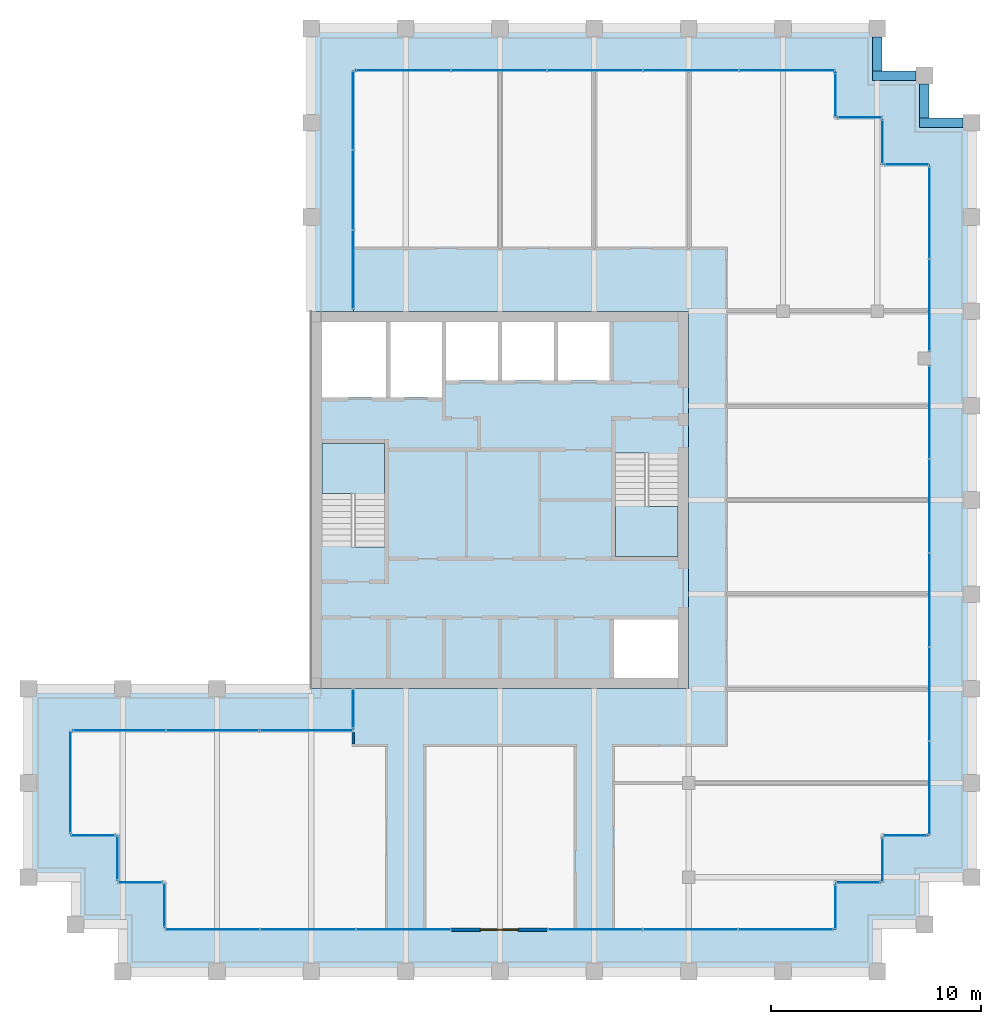
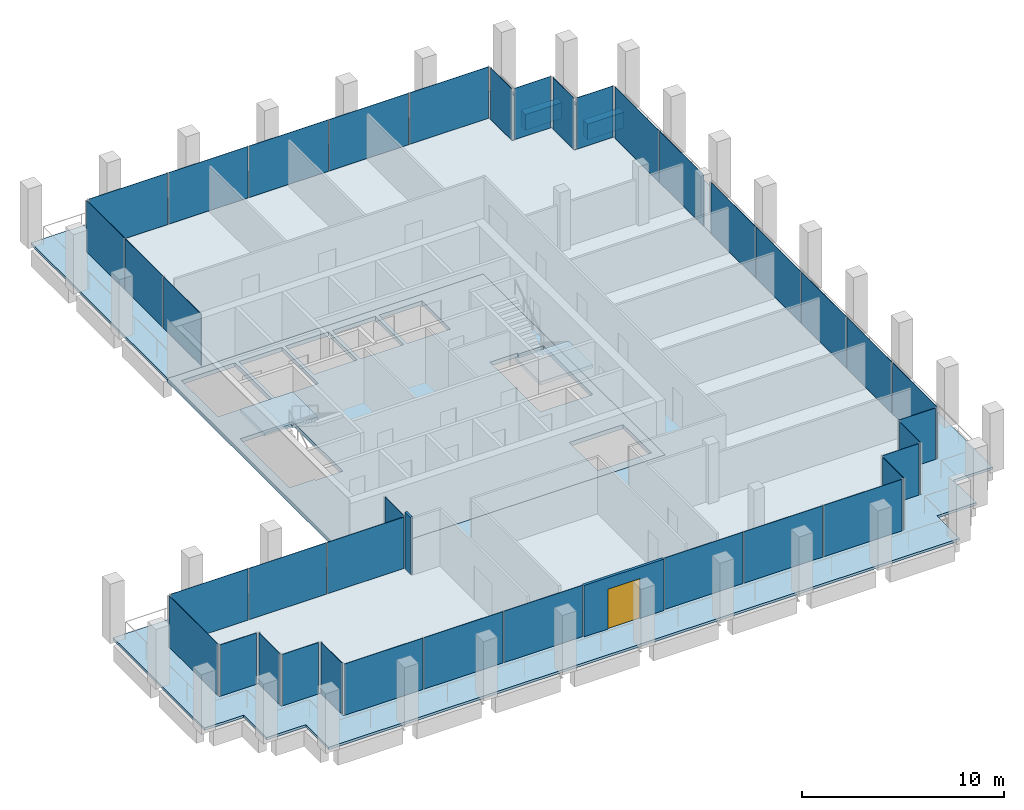
# One storey, part 27 of 30: 38 plates, 5 slabs, 4 beams, 2 walls, 1 door, 1 opening, 23 elements without a shape of their own.
"""IFC4 building model written with IfcOpenShell, lengths in metres."""

from ifc_helpers import new_model, si_unit, direction, frame, frame_2d, origin, origin_2d, place, context, subcontext, project, spatial, polyline, rectangle, outline, extrude, material, layer, layer_set, material_profile, profile_set, type_object, element, fill, aggregate, save


model = new_model("IFC4")

# Units and contexts
model_context = context("Model", 3, precision=1e-05, world=origin(), true_north=direction((0.0, 1.0)))
body_context = subcontext(model_context, "Body", "Model", "MODEL_VIEW")
ifc_project = project(units=[si_unit("LENGTHUNIT", "METRE"), si_unit("AREAUNIT", "SQUARE_METRE"), si_unit("VOLUMEUNIT", "CUBIC_METRE"), si_unit("PLANEANGLEUNIT", "RADIAN"), si_unit("MASSUNIT", "GRAM", prefix="KILO")], contexts=[model_context])

# Site, building, storey
site_placement = place(None, origin())
site = spatial("IfcSite", under=ifc_project, at=site_placement, CompositionType="ELEMENT")
building_placement = place(site_placement, origin())
building = spatial("IfcBuilding", under=site, at=building_placement, Name="Altepetl Exchange Towers", CompositionType="ELEMENT")
storey_placement = place(building_placement, frame((0.0, 0.0, 213.60009765625)))
storey = spatial("IfcBuildingStorey", under=building, at=storey_placement, Name="L54", CompositionType="ELEMENT", Elevation=213.60009765625)

# Beams
ifc_material_1 = material(Name="Concrete C50/60 precast with cantera rosa facing", Category="concrete")
ifc_material_profile = material_profile(ifc_material_1, rectangle(XDim=0.449951171875, YDim=0.949951171875, at=origin_2d()), Name="450 x 950")
ifc_profile_set = profile_set([ifc_material_profile], Name="Concrete C50/60 precast with cantera rosa facing")
beam_type = type_object("IfcBeamType", Name="Spandrel beam 450x950 cantera rosa", PredefinedType="SPANDREL", material=ifc_profile_set)
beam_1_placement = place(storey_placement, frame((71.60009765625, 67.5, -0.625), z_axis=(-1.0, 0.0, 0.0), x_axis=(0.0, -1.0, 0.0)))
element("IfcBeam", 1, at=beam_1_placement, inside=storey, type_object=beam_type, Name="sp:A:L54:020", PredefinedType="SPANDREL", context=body_context, shape_type="SweptSolid", body=[
    extrude(rectangle(XDim=0.449951171875, YDim=0.949951171875, at=origin_2d()), origin(), (0.0, 0.0, 1.0), 2.0751953125),
])
beam_2_placement = place(storey_placement, frame((69.75, 67.72509765625, -0.625), z_axis=(0.0, 1.0, 0.0), x_axis=(-1.0, 0.0, 0.0)))
element("IfcBeam", 2, at=beam_2_placement, inside=storey, type_object=beam_type, Name="sp:A:L54:021", PredefinedType="SPANDREL", context=body_context, shape_type="SweptSolid", body=[
    extrude(rectangle(XDim=0.449951171875, YDim=0.949951171875, at=origin_2d()), origin(), (0.0, 0.0, 1.0), 1.625),
])
beam_3_placement = place(storey_placement, frame((69.35009765625, 69.75, -0.625), z_axis=(-1.0, 0.0, 0.0), x_axis=(0.0, -1.0, 0.0)))
element("IfcBeam", 3, at=beam_3_placement, inside=storey, type_object=beam_type, Name="sp:A:L54:022", PredefinedType="SPANDREL", context=body_context, shape_type="SweptSolid", body=[
    extrude(rectangle(XDim=0.449951171875, YDim=0.949951171875, at=origin_2d()), origin(), (0.0, 0.0, 1.0), 2.0751953125),
])
beam_4_placement = place(storey_placement, frame((67.5, 69.97509765625, -0.625), z_axis=(0.0, 1.0, 0.0), x_axis=(-1.0, 0.0, 0.0)))
element("IfcBeam", 4, at=beam_4_placement, inside=storey, type_object=beam_type, Name="sp:A:L54:023", PredefinedType="SPANDREL", context=body_context, shape_type="SweptSolid", body=[
    extrude(rectangle(XDim=0.449951171875, YDim=0.949951171875, at=origin_2d()), origin(), (0.0, 0.0, 1.0), 1.625),
])

# Slabs
ifc_material_2 = material(Name="Concrete C40/50", Category="concrete")
ifc_layer_1 = layer(ifc_material_2, 0.14990234375)
ifc_layer_set_1 = layer_set([ifc_layer_1], Name="Concrete C40/50")
slab_type_1 = type_object("IfcSlabType", Name="Composite floor slab 150", PredefinedType="FLOOR", material=ifc_layer_set_1)
slab_1_placement = place(storey_placement, frame((0.0, 0.0, -0.150146484375)))
element("IfcSlab", 5, at=slab_1_placement, inside=storey, type_object=slab_type_1, Name="slab:A:L54:strip0", PredefinedType="FLOOR", context=body_context, shape_type="SweptSolid", body=[
    extrude(outline(polyline([(42.5, 70.0), (42.5, 58.5), (58.5, 58.5), (58.5, 40.5), (42.5, 40.5), (42.5, 38.5), (29.0, 38.5), (29.0, 33.5), (31.25, 33.5), (31.25, 31.25), (33.5, 31.25), (33.5, 29.0), (65.5, 29.0), (65.5, 31.25), (67.75, 31.25), (67.75, 33.5), (70.0, 33.5), (70.0, 65.5), (67.75, 65.5), (67.75, 67.75), (65.5, 67.75), (65.5, 70.0), (42.5, 70.0)])), origin(), (0.0, 0.0, 1.0), 0.150146484375),
])
ifc_layer_2 = layer(ifc_material_2, 0.25)
ifc_layer_set_2 = layer_set([ifc_layer_2], Name="Concrete C40/50")
slab_type_2 = type_object("IfcSlabType", Name="Core floor slab 250", PredefinedType="FLOOR", material=ifc_layer_set_2)
slab_2_placement = place(storey_placement, frame((0.0, 0.0, -0.25)))
element("IfcSlab", 6, at=slab_2_placement, inside=storey, type_object=slab_type_2, Name="slab:A:L54:core0", PredefinedType="FLOOR", context=body_context, shape_type="SweptSolid", body=[
    extrude(outline(polyline([(40.5, 40.5), (58.5, 40.5), (58.5, 58.5), (40.5, 58.5), (40.5, 40.5)]), holes=[polyline([(54.93310546875, 43.800048828125), (58.0, 43.800048828125), (58.0, 41.0), (54.93310546875, 41.0), (54.93310546875, 43.800048828125)]), polyline([(55.0, 51.7490234375), (56.550048828125, 51.7490234375), (56.550048828125, 51.64990234375), (58.0, 51.64990234375), (58.0, 46.800048828125), (55.0, 46.800048828125), (55.0, 51.7490234375)]), polyline([(44.0, 47.2509765625), (42.449951171875, 47.2509765625), (42.449951171875, 47.35009765625), (41.0, 47.35009765625), (41.0, 52.199951171875), (44.0, 52.199951171875), (44.0, 47.2509765625)]), polyline([(41.0, 58.0), (44.06689453125, 58.0), (44.06689453125, 54.39990234375), (41.0, 54.39990234375), (41.0, 58.0)]), polyline([(44.26708984375, 58.0), (46.73291015625, 58.0), (46.73291015625, 54.39990234375), (44.26708984375, 54.39990234375), (44.26708984375, 58.0)]), polyline([(46.93310546875, 58.0), (49.39990234375, 58.0), (49.39990234375, 55.199951171875), (46.93310546875, 55.199951171875), (46.93310546875, 58.0)]), polyline([(49.60009765625, 58.0), (52.06689453125, 58.0), (52.06689453125, 55.199951171875), (49.60009765625, 55.199951171875), (49.60009765625, 58.0)]), polyline([(52.26708984375, 58.0), (54.73291015625, 58.0), (54.73291015625, 55.199951171875), (52.26708984375, 55.199951171875), (52.26708984375, 58.0)])]), origin(), (0.0, 0.0, 1.0), 0.25),
])

# Curtain wall, plate
ifc_material_3 = material(Name="Aluminium 6063-T6 glazing", Category="aluminium")
curtain_wall_type = type_object("IfcCurtainWallType", Name="Loggia glazing system", PredefinedType="NOTDEFINED", material=ifc_material_3)
curtain_wall_1_placement = place(storey_placement, origin())
curtain_wall_1 = element("IfcCurtainWall", 7, at=curtain_wall_1_placement, inside=storey, type_object=curtain_wall_type, Name="CW1 run", PredefinedType="NOTDEFINED")
ifc_material_4 = material(Name="Glass 6-16-6 low emissivity", Category="glass")
ifc_layer_3 = layer(ifc_material_4, 0.028076171875)
ifc_layer_set_3 = layer_set([ifc_layer_3], Name="Glass 6-16-6 low emissivity")
plate_type = type_object("IfcPlateType", Name="Glass panel 28 double glazed", PredefinedType="CURTAIN_PANEL", material=ifc_layer_set_3)
plate_1_placement = place(storey_placement, frame((42.5, 39.53759765625, -0.000244140625), z_axis=(0.0, 0.0, 1.0), x_axis=(0.0, -1.0, 0.0)))
plate_1 = element("IfcPlate", 8, at=plate_1_placement, type_object=plate_type, Name="GP1 panel", PredefinedType="CURTAIN_PANEL", context=body_context, shape_type="SweptSolid", body=[
    extrude(rectangle(XDim=1.804931640625, YDim=0.028076171875, at=origin_2d()), origin(), (0.0, 0.0, 1.0), 3.10009765625),
])
aggregate(curtain_wall_1, [plate_1])

# Curtain wall, plates
curtain_wall_2_placement = place(storey_placement, origin())
curtain_wall_2 = element("IfcCurtainWall", 9, at=curtain_wall_2_placement, inside=storey, type_object=curtain_wall_type, Name="CW1 run", PredefinedType="NOTDEFINED")
plate_2_placement = place(storey_placement, frame((40.24755859375, 38.5, -0.000244140625), z_axis=(0.0, 0.0, 1.0), x_axis=(-1.0, 0.0, 0.0)))
plate_2 = element("IfcPlate", 10, at=plate_2_placement, type_object=plate_type, Name="GP1 panel", PredefinedType="CURTAIN_PANEL", context=body_context, shape_type="SweptSolid", body=[
    extrude(rectangle(XDim=4.385009765625, YDim=0.028076171875, at=origin_2d()), origin(), (0.0, 0.0, 1.0), 3.10009765625),
])
plate_3_placement = place(storey_placement, frame((35.78759765625, 38.5, -0.000244140625), z_axis=(0.0, 0.0, 1.0), x_axis=(-1.0, 0.0, 0.0)))
plate_3 = element("IfcPlate", 11, at=plate_3_placement, type_object=plate_type, Name="GP1 panel", PredefinedType="CURTAIN_PANEL", context=body_context, shape_type="SweptSolid", body=[
    extrude(rectangle(XDim=4.4150390625, YDim=0.028076171875, at=origin_2d()), origin(), (0.0, 0.0, 1.0), 3.10009765625),
])
plate_4_placement = place(storey_placement, frame((31.327392578125, 38.5, -0.000244140625), z_axis=(0.0, 0.0, 1.0), x_axis=(-1.0, 0.0, 0.0)))
plate_4 = element("IfcPlate", 12, at=plate_4_placement, type_object=plate_type, Name="GP1 panel", PredefinedType="CURTAIN_PANEL", context=body_context, shape_type="SweptSolid", body=[
    extrude(rectangle(XDim=4.385009765625, YDim=0.028076171875, at=origin_2d()), origin(), (0.0, 0.0, 1.0), 3.10009765625),
])
aggregate(curtain_wall_2, [plate_2, plate_3, plate_4])

# Curtain wall, plate
curtain_wall_3_placement = place(storey_placement, origin())
curtain_wall_3 = element("IfcCurtainWall", 13, at=curtain_wall_3_placement, inside=storey, type_object=curtain_wall_type, Name="CW1 run", PredefinedType="NOTDEFINED")
plate_5_placement = place(storey_placement, frame((29.0, 36.03759765625, -0.000244140625), z_axis=(0.0, 0.0, 1.0), x_axis=(0.0, -1.0, 0.0)))
plate_5 = element("IfcPlate", 14, at=plate_5_placement, type_object=plate_type, Name="GP1 panel", PredefinedType="CURTAIN_PANEL", context=body_context, shape_type="SweptSolid", body=[
    extrude(rectangle(XDim=4.804931640625, YDim=0.028076171875, at=origin_2d()), origin(), (0.0, 0.0, 1.0), 3.10009765625),
])
aggregate(curtain_wall_3, [plate_5])

curtain_wall_4_placement = place(storey_placement, origin())
curtain_wall_4 = element("IfcCurtainWall", 15, at=curtain_wall_4_placement, inside=storey, type_object=curtain_wall_type, Name="CW1 run", PredefinedType="NOTDEFINED")
plate_6_placement = place(storey_placement, frame((30.08740234375, 33.5, -0.000244140625)))
plate_6 = element("IfcPlate", 16, at=plate_6_placement, type_object=plate_type, Name="GP1 panel", PredefinedType="CURTAIN_PANEL", context=body_context, shape_type="SweptSolid", body=[
    extrude(rectangle(XDim=2.054931640625, YDim=0.028076171875, at=origin_2d()), origin(), (0.0, 0.0, 1.0), 3.10009765625),
])
aggregate(curtain_wall_4, [plate_6])

curtain_wall_5_placement = place(storey_placement, origin())
curtain_wall_5 = element("IfcCurtainWall", 17, at=curtain_wall_5_placement, inside=storey, type_object=curtain_wall_type, Name="CW1 run", PredefinedType="NOTDEFINED")
plate_7_placement = place(storey_placement, frame((31.25, 32.41259765625, -0.000244140625), z_axis=(0.0, 0.0, 1.0), x_axis=(0.0, -1.0, 0.0)))
plate_7 = element("IfcPlate", 18, at=plate_7_placement, type_object=plate_type, Name="GP1 panel", PredefinedType="CURTAIN_PANEL", context=body_context, shape_type="SweptSolid", body=[
    extrude(rectangle(XDim=2.054931640625, YDim=0.028076171875, at=origin_2d()), origin(), (0.0, 0.0, 1.0), 3.10009765625),
])
aggregate(curtain_wall_5, [plate_7])

curtain_wall_6_placement = place(storey_placement, origin())
curtain_wall_6 = element("IfcCurtainWall", 19, at=curtain_wall_6_placement, inside=storey, type_object=curtain_wall_type, Name="CW1 run", PredefinedType="NOTDEFINED")
plate_8_placement = place(storey_placement, frame((32.33740234375, 31.25, -0.000244140625)))
plate_8 = element("IfcPlate", 20, at=plate_8_placement, type_object=plate_type, Name="GP1 panel", PredefinedType="CURTAIN_PANEL", context=body_context, shape_type="SweptSolid", body=[
    extrude(rectangle(XDim=2.054931640625, YDim=0.028076171875, at=origin_2d()), origin(), (0.0, 0.0, 1.0), 3.10009765625),
])
aggregate(curtain_wall_6, [plate_8])

curtain_wall_7_placement = place(storey_placement, origin())
curtain_wall_7 = element("IfcCurtainWall", 21, at=curtain_wall_7_placement, inside=storey, type_object=curtain_wall_type, Name="CW1 run", PredefinedType="NOTDEFINED")
plate_9_placement = place(storey_placement, frame((33.5, 30.16259765625, -0.000244140625), z_axis=(0.0, 0.0, 1.0), x_axis=(0.0, -1.0, 0.0)))
plate_9 = element("IfcPlate", 22, at=plate_9_placement, type_object=plate_type, Name="GP1 panel", PredefinedType="CURTAIN_PANEL", context=body_context, shape_type="SweptSolid", body=[
    extrude(rectangle(XDim=2.054931640625, YDim=0.028076171875, at=origin_2d()), origin(), (0.0, 0.0, 1.0), 3.10009765625),
])
aggregate(curtain_wall_7, [plate_9])

# Curtain wall, plates
curtain_wall_8_placement = place(storey_placement, origin())
curtain_wall_8 = element("IfcCurtainWall", 23, at=curtain_wall_8_placement, inside=storey, type_object=curtain_wall_type, Name="CW1 run", PredefinedType="NOTDEFINED")
plate_10_placement = place(storey_placement, frame((35.79541015625, 29.0, -0.000244140625)))
plate_10 = element("IfcPlate", 24, at=plate_10_placement, type_object=plate_type, Name="GP1 panel", PredefinedType="CURTAIN_PANEL", context=body_context, shape_type="SweptSolid", body=[
    extrude(rectangle(XDim=4.470703125, YDim=0.028076171875, at=origin_2d()), origin(), (0.0, 0.0, 1.0), 3.10009765625),
])
plate_11_placement = place(storey_placement, frame((40.341064453125, 29.0, -0.000244140625)))
plate_11 = element("IfcPlate", 25, at=plate_11_placement, type_object=plate_type, Name="GP1 panel", PredefinedType="CURTAIN_PANEL", context=body_context, shape_type="SweptSolid", body=[
    extrude(rectangle(XDim=4.500732421875, YDim=0.028076171875, at=origin_2d()), origin(), (0.0, 0.0, 1.0), 3.10009765625),
])
plate_12_placement = place(storey_placement, frame((44.88671875, 29.0, -0.000244140625)))
plate_12 = element("IfcPlate", 26, at=plate_12_placement, type_object=plate_type, Name="GP1 panel", PredefinedType="CURTAIN_PANEL", context=body_context, shape_type="SweptSolid", body=[
    extrude(rectangle(XDim=4.470703125, YDim=0.028076171875, at=origin_2d()), origin(), (0.0, 0.0, 1.0), 3.10009765625),
])
aggregate(curtain_wall_8, [plate_10, plate_11, plate_12])

curtain_wall_9_placement = place(storey_placement, origin())
curtain_wall_9 = element("IfcCurtainWall", 27, at=curtain_wall_9_placement, inside=storey, type_object=curtain_wall_type, Name="CW1 run", PredefinedType="NOTDEFINED")
plate_13_placement = place(storey_placement, frame((54.038330078125, 29.0, -0.000244140625)))
plate_13 = element("IfcPlate", 28, at=plate_13_placement, type_object=plate_type, Name="GP1 panel", PredefinedType="CURTAIN_PANEL", context=body_context, shape_type="SweptSolid", body=[
    extrude(rectangle(XDim=4.470703125, YDim=0.028076171875, at=origin_2d()), origin(), (0.0, 0.0, 1.0), 3.10009765625),
])
plate_14_placement = place(storey_placement, frame((58.583984375, 29.0, -0.000244140625)))
plate_14 = element("IfcPlate", 29, at=plate_14_placement, type_object=plate_type, Name="GP1 panel", PredefinedType="CURTAIN_PANEL", context=body_context, shape_type="SweptSolid", body=[
    extrude(rectangle(XDim=4.500732421875, YDim=0.028076171875, at=origin_2d()), origin(), (0.0, 0.0, 1.0), 3.10009765625),
])
plate_15_placement = place(storey_placement, frame((63.129638671875, 29.0, -0.000244140625)))
plate_15 = element("IfcPlate", 30, at=plate_15_placement, type_object=plate_type, Name="GP1 panel", PredefinedType="CURTAIN_PANEL", context=body_context, shape_type="SweptSolid", body=[
    extrude(rectangle(XDim=4.470703125, YDim=0.028076171875, at=origin_2d()), origin(), (0.0, 0.0, 1.0), 3.10009765625),
])
aggregate(curtain_wall_9, [plate_13, plate_14, plate_15])

# Curtain wall, plate
curtain_wall_10_placement = place(storey_placement, origin())
curtain_wall_10 = element("IfcCurtainWall", 31, at=curtain_wall_10_placement, inside=storey, type_object=curtain_wall_type, Name="CW1 run", PredefinedType="NOTDEFINED")
plate_16_placement = place(storey_placement, frame((65.5, 30.08740234375, -0.000244140625), z_axis=(0.0, 0.0, 1.0), x_axis=(0.0, 1.0, 0.0)))
plate_16 = element("IfcPlate", 32, at=plate_16_placement, type_object=plate_type, Name="GP1 panel", PredefinedType="CURTAIN_PANEL", context=body_context, shape_type="SweptSolid", body=[
    extrude(rectangle(XDim=2.054931640625, YDim=0.028076171875, at=origin_2d()), origin(), (0.0, 0.0, 1.0), 3.10009765625),
])
aggregate(curtain_wall_10, [plate_16])

curtain_wall_11_placement = place(storey_placement, origin())
curtain_wall_11 = element("IfcCurtainWall", 33, at=curtain_wall_11_placement, inside=storey, type_object=curtain_wall_type, Name="CW1 run", PredefinedType="NOTDEFINED")
plate_17_placement = place(storey_placement, frame((66.58740234375, 31.25, -0.000244140625)))
plate_17 = element("IfcPlate", 34, at=plate_17_placement, type_object=plate_type, Name="GP1 panel", PredefinedType="CURTAIN_PANEL", context=body_context, shape_type="SweptSolid", body=[
    extrude(rectangle(XDim=2.054931640625, YDim=0.028076171875, at=origin_2d()), origin(), (0.0, 0.0, 1.0), 3.10009765625),
])
aggregate(curtain_wall_11, [plate_17])

curtain_wall_12_placement = place(storey_placement, origin())
curtain_wall_12 = element("IfcCurtainWall", 35, at=curtain_wall_12_placement, inside=storey, type_object=curtain_wall_type, Name="CW1 run", PredefinedType="NOTDEFINED")
plate_18_placement = place(storey_placement, frame((67.75, 32.33740234375, -0.000244140625), z_axis=(0.0, 0.0, 1.0), x_axis=(0.0, 1.0, 0.0)))
plate_18 = element("IfcPlate", 36, at=plate_18_placement, type_object=plate_type, Name="GP1 panel", PredefinedType="CURTAIN_PANEL", context=body_context, shape_type="SweptSolid", body=[
    extrude(rectangle(XDim=2.054931640625, YDim=0.028076171875, at=origin_2d()), origin(), (0.0, 0.0, 1.0), 3.10009765625),
])
aggregate(curtain_wall_12, [plate_18])

curtain_wall_13_placement = place(storey_placement, origin())
curtain_wall_13 = element("IfcCurtainWall", 37, at=curtain_wall_13_placement, inside=storey, type_object=curtain_wall_type, Name="CW1 run", PredefinedType="NOTDEFINED")
plate_19_placement = place(storey_placement, frame((68.83740234375, 33.5, -0.000244140625)))
plate_19 = element("IfcPlate", 38, at=plate_19_placement, type_object=plate_type, Name="GP1 panel", PredefinedType="CURTAIN_PANEL", context=body_context, shape_type="SweptSolid", body=[
    extrude(rectangle(XDim=2.054931640625, YDim=0.028076171875, at=origin_2d()), origin(), (0.0, 0.0, 1.0), 3.10009765625),
])
aggregate(curtain_wall_13, [plate_19])

# Curtain wall, plates
curtain_wall_14_placement = place(storey_placement, origin())
curtain_wall_14 = element("IfcCurtainWall", 39, at=curtain_wall_14_placement, inside=storey, type_object=curtain_wall_type, Name="CW1 run", PredefinedType="NOTDEFINED")
plate_20_placement = place(storey_placement, frame((70.0, 35.758056640625, -0.000244140625), z_axis=(0.0, 0.0, 1.0), x_axis=(0.0, 1.0, 0.0)))
plate_20 = element("IfcPlate", 40, at=plate_20_placement, type_object=plate_type, Name="GP1 panel", PredefinedType="CURTAIN_PANEL", context=body_context, shape_type="SweptSolid", body=[
    extrude(rectangle(XDim=4.39599609375, YDim=0.028076171875, at=origin_2d()), origin(), (0.0, 0.0, 1.0), 3.10009765625),
])
plate_21_placement = place(storey_placement, frame((70.0, 40.22900390625, -0.000244140625), z_axis=(0.0, 0.0, 1.0), x_axis=(0.0, 1.0, 0.0)))
plate_21 = element("IfcPlate", 41, at=plate_21_placement, type_object=plate_type, Name="GP1 panel", PredefinedType="CURTAIN_PANEL", context=body_context, shape_type="SweptSolid", body=[
    extrude(rectangle(XDim=4.426025390625, YDim=0.028076171875, at=origin_2d()), origin(), (0.0, 0.0, 1.0), 3.10009765625),
])
plate_22_placement = place(storey_placement, frame((70.0, 44.715087890625, -0.000244140625), z_axis=(0.0, 0.0, 1.0), x_axis=(0.0, 1.0, 0.0)))
plate_22 = element("IfcPlate", 42, at=plate_22_placement, type_object=plate_type, Name="GP1 panel", PredefinedType="CURTAIN_PANEL", context=body_context, shape_type="SweptSolid", body=[
    extrude(rectangle(XDim=4.426025390625, YDim=0.028076171875, at=origin_2d()), origin(), (0.0, 0.0, 1.0), 3.10009765625),
])
plate_23_placement = place(storey_placement, frame((70.0, 49.200927734375, -0.000244140625), z_axis=(0.0, 0.0, 1.0), x_axis=(0.0, 1.0, 0.0)))
plate_23 = element("IfcPlate", 43, at=plate_23_placement, type_object=plate_type, Name="GP1 panel", PredefinedType="CURTAIN_PANEL", context=body_context, shape_type="SweptSolid", body=[
    extrude(rectangle(XDim=4.426025390625, YDim=0.028076171875, at=origin_2d()), origin(), (0.0, 0.0, 1.0), 3.10009765625),
])
plate_24_placement = place(storey_placement, frame((70.0, 53.672119140625, -0.000244140625), z_axis=(0.0, 0.0, 1.0), x_axis=(0.0, 1.0, 0.0)))
plate_24 = element("IfcPlate", 44, at=plate_24_placement, type_object=plate_type, Name="GP1 panel", PredefinedType="CURTAIN_PANEL", context=body_context, shape_type="SweptSolid", body=[
    extrude(rectangle(XDim=4.39599609375, YDim=0.028076171875, at=origin_2d()), origin(), (0.0, 0.0, 1.0), 3.10009765625),
])
aggregate(curtain_wall_14, [plate_20, plate_21, plate_22, plate_23, plate_24])

curtain_wall_15_placement = place(storey_placement, origin())
curtain_wall_15 = element("IfcCurtainWall", 45, at=curtain_wall_15_placement, inside=storey, type_object=curtain_wall_type, Name="CW1 run", PredefinedType="NOTDEFINED")
plate_25_placement = place(storey_placement, frame((70.0, 58.798828125, -0.000244140625), z_axis=(0.0, 0.0, 1.0), x_axis=(0.0, 1.0, 0.0)))
plate_25 = element("IfcPlate", 46, at=plate_25_placement, type_object=plate_type, Name="GP1 panel", PredefinedType="CURTAIN_PANEL", context=body_context, shape_type="SweptSolid", body=[
    extrude(rectangle(XDim=4.33740234375, YDim=0.028076171875, at=origin_2d()), origin(), (0.0, 0.0, 1.0), 3.10009765625),
])
plate_26_placement = place(storey_placement, frame((70.0, 63.1962890625, -0.000244140625), z_axis=(0.0, 0.0, 1.0), x_axis=(0.0, 1.0, 0.0)))
plate_26 = element("IfcPlate", 47, at=plate_26_placement, type_object=plate_type, Name="GP1 panel", PredefinedType="CURTAIN_PANEL", context=body_context, shape_type="SweptSolid", body=[
    extrude(rectangle(XDim=4.33740234375, YDim=0.028076171875, at=origin_2d()), origin(), (0.0, 0.0, 1.0), 3.10009765625),
])
aggregate(curtain_wall_15, [plate_25, plate_26])

# Curtain wall, plate
curtain_wall_16_placement = place(storey_placement, origin())
curtain_wall_16 = element("IfcCurtainWall", 48, at=curtain_wall_16_placement, inside=storey, type_object=curtain_wall_type, Name="CW1 run", PredefinedType="NOTDEFINED")
plate_27_placement = place(storey_placement, frame((68.91259765625, 65.5, -0.000244140625), z_axis=(0.0, 0.0, 1.0), x_axis=(-1.0, 0.0, 0.0)))
plate_27 = element("IfcPlate", 49, at=plate_27_placement, type_object=plate_type, Name="GP1 panel", PredefinedType="CURTAIN_PANEL", context=body_context, shape_type="SweptSolid", body=[
    extrude(rectangle(XDim=2.054931640625, YDim=0.028076171875, at=origin_2d()), origin(), (0.0, 0.0, 1.0), 3.10009765625),
])
aggregate(curtain_wall_16, [plate_27])

curtain_wall_17_placement = place(storey_placement, origin())
curtain_wall_17 = element("IfcCurtainWall", 50, at=curtain_wall_17_placement, inside=storey, type_object=curtain_wall_type, Name="CW1 run", PredefinedType="NOTDEFINED")
plate_28_placement = place(storey_placement, frame((67.75, 66.58740234375, -0.000244140625), z_axis=(0.0, 0.0, 1.0), x_axis=(0.0, 1.0, 0.0)))
plate_28 = element("IfcPlate", 51, at=plate_28_placement, type_object=plate_type, Name="GP1 panel", PredefinedType="CURTAIN_PANEL", context=body_context, shape_type="SweptSolid", body=[
    extrude(rectangle(XDim=2.054931640625, YDim=0.028076171875, at=origin_2d()), origin(), (0.0, 0.0, 1.0), 3.10009765625),
])
aggregate(curtain_wall_17, [plate_28])

curtain_wall_18_placement = place(storey_placement, origin())
curtain_wall_18 = element("IfcCurtainWall", 52, at=curtain_wall_18_placement, inside=storey, type_object=curtain_wall_type, Name="CW1 run", PredefinedType="NOTDEFINED")
plate_29_placement = place(storey_placement, frame((66.66259765625, 67.75, -0.000244140625), z_axis=(0.0, 0.0, 1.0), x_axis=(-1.0, 0.0, 0.0)))
plate_29 = element("IfcPlate", 53, at=plate_29_placement, type_object=plate_type, Name="GP1 panel", PredefinedType="CURTAIN_PANEL", context=body_context, shape_type="SweptSolid", body=[
    extrude(rectangle(XDim=2.054931640625, YDim=0.028076171875, at=origin_2d()), origin(), (0.0, 0.0, 1.0), 3.10009765625),
])
aggregate(curtain_wall_18, [plate_29])

curtain_wall_19_placement = place(storey_placement, origin())
curtain_wall_19 = element("IfcCurtainWall", 54, at=curtain_wall_19_placement, inside=storey, type_object=curtain_wall_type, Name="CW1 run", PredefinedType="NOTDEFINED")
plate_30_placement = place(storey_placement, frame((65.5, 68.83740234375, -0.000244140625), z_axis=(0.0, 0.0, 1.0), x_axis=(0.0, 1.0, 0.0)))
plate_30 = element("IfcPlate", 55, at=plate_30_placement, type_object=plate_type, Name="GP1 panel", PredefinedType="CURTAIN_PANEL", context=body_context, shape_type="SweptSolid", body=[
    extrude(rectangle(XDim=2.054931640625, YDim=0.028076171875, at=origin_2d()), origin(), (0.0, 0.0, 1.0), 3.10009765625),
])
aggregate(curtain_wall_19, [plate_30])

# Curtain wall, plates
curtain_wall_20_placement = place(storey_placement, origin())
curtain_wall_20 = element("IfcCurtainWall", 56, at=curtain_wall_20_placement, inside=storey, type_object=curtain_wall_type, Name="CW1 run", PredefinedType="NOTDEFINED")
plate_31_placement = place(storey_placement, frame((63.1923828125, 70.0, -0.000244140625), z_axis=(0.0, 0.0, 1.0), x_axis=(-1.0, 0.0, 0.0)))
plate_31 = element("IfcPlate", 57, at=plate_31_placement, type_object=plate_type, Name="GP1 panel", PredefinedType="CURTAIN_PANEL", context=body_context, shape_type="SweptSolid", body=[
    extrude(rectangle(XDim=4.4951171875, YDim=0.028076171875, at=origin_2d()), origin(), (0.0, 0.0, 1.0), 3.10009765625),
])
plate_32_placement = place(storey_placement, frame((58.62255859375, 70.0, -0.000244140625), z_axis=(0.0, 0.0, 1.0), x_axis=(-1.0, 0.0, 0.0)))
plate_32 = element("IfcPlate", 58, at=plate_32_placement, type_object=plate_type, Name="GP1 panel", PredefinedType="CURTAIN_PANEL", context=body_context, shape_type="SweptSolid", body=[
    extrude(rectangle(XDim=4.52490234375, YDim=0.028076171875, at=origin_2d()), origin(), (0.0, 0.0, 1.0), 3.10009765625),
])
plate_33_placement = place(storey_placement, frame((54.03759765625, 70.0, -0.000244140625), z_axis=(0.0, 0.0, 1.0), x_axis=(-1.0, 0.0, 0.0)))
plate_33 = element("IfcPlate", 59, at=plate_33_placement, type_object=plate_type, Name="GP1 panel", PredefinedType="CURTAIN_PANEL", context=body_context, shape_type="SweptSolid", body=[
    extrude(rectangle(XDim=4.52490234375, YDim=0.028076171875, at=origin_2d()), origin(), (0.0, 0.0, 1.0), 3.10009765625),
])
plate_34_placement = place(storey_placement, frame((49.452392578125, 70.0, -0.000244140625), z_axis=(0.0, 0.0, 1.0), x_axis=(-1.0, 0.0, 0.0)))
plate_34 = element("IfcPlate", 60, at=plate_34_placement, type_object=plate_type, Name="GP1 panel", PredefinedType="CURTAIN_PANEL", context=body_context, shape_type="SweptSolid", body=[
    extrude(rectangle(XDim=4.52490234375, YDim=0.028076171875, at=origin_2d()), origin(), (0.0, 0.0, 1.0), 3.10009765625),
])
plate_35_placement = place(storey_placement, frame((44.882568359375, 70.0, -0.000244140625), z_axis=(0.0, 0.0, 1.0), x_axis=(-1.0, 0.0, 0.0)))
plate_35 = element("IfcPlate", 61, at=plate_35_placement, type_object=plate_type, Name="GP1 panel", PredefinedType="CURTAIN_PANEL", context=body_context, shape_type="SweptSolid", body=[
    extrude(rectangle(XDim=4.4951171875, YDim=0.028076171875, at=origin_2d()), origin(), (0.0, 0.0, 1.0), 3.10009765625),
])
aggregate(curtain_wall_20, [plate_31, plate_32, plate_33, plate_34, plate_35])

curtain_wall_21_placement = place(storey_placement, origin())
curtain_wall_21 = element("IfcCurtainWall", 62, at=curtain_wall_21_placement, inside=storey, type_object=curtain_wall_type, Name="CW1 run", PredefinedType="NOTDEFINED")
plate_36_placement = place(storey_placement, frame((42.5, 68.080810546875, -0.000244140625), z_axis=(0.0, 0.0, 1.0), x_axis=(0.0, -1.0, 0.0)))
plate_36 = element("IfcPlate", 63, at=plate_36_placement, type_object=plate_type, Name="GP1 panel", PredefinedType="CURTAIN_PANEL", context=body_context, shape_type="SweptSolid", body=[
    extrude(rectangle(XDim=3.71826171875, YDim=0.028076171875, at=origin_2d()), origin(), (0.0, 0.0, 1.0), 3.10009765625),
])
plate_37_placement = place(storey_placement, frame((42.5, 64.28759765625, -0.000244140625), z_axis=(0.0, 0.0, 1.0), x_axis=(0.0, -1.0, 0.0)))
plate_37 = element("IfcPlate", 64, at=plate_37_placement, type_object=plate_type, Name="GP1 panel", PredefinedType="CURTAIN_PANEL", context=body_context, shape_type="SweptSolid", body=[
    extrude(rectangle(XDim=3.748291015625, YDim=0.028076171875, at=origin_2d()), origin(), (0.0, 0.0, 1.0), 3.10009765625),
])
plate_38_placement = place(storey_placement, frame((42.5, 60.494140625, -0.000244140625), z_axis=(0.0, 0.0, 1.0), x_axis=(0.0, -1.0, 0.0)))
plate_38 = element("IfcPlate", 65, at=plate_38_placement, type_object=plate_type, Name="GP1 panel", PredefinedType="CURTAIN_PANEL", context=body_context, shape_type="SweptSolid", body=[
    extrude(rectangle(XDim=3.71826171875, YDim=0.028076171875, at=origin_2d()), origin(), (0.0, 0.0, 1.0), 3.10009765625),
])
aggregate(curtain_wall_21, [plate_36, plate_37, plate_38])

# Slab
ifc_layer_4 = layer(ifc_material_2, 0.14990234375)
ifc_layer_set_4 = layer_set([ifc_layer_4], Name="Concrete C40/50")
slab_type_3 = type_object("IfcSlabType", Name="Loggia slab 150", PredefinedType="FLOOR", material=ifc_layer_set_4)
slab_3_placement = place(storey_placement, frame((0.0, 0.0, -0.150146484375)))
element("IfcSlab", 66, at=slab_3_placement, inside=storey, type_object=slab_type_3, Name="slab:A:L54:loggia0", PredefinedType="FLOOR", context=body_context, shape_type="SweptSolid", body=[
    extrude(outline(polyline([(40.5, 72.0), (40.5, 58.5), (42.5, 58.5), (42.5, 70.0), (65.5, 70.0), (65.5, 67.75), (67.75, 67.75), (67.75, 65.5), (70.0, 65.5), (70.0, 33.5), (67.75, 33.5), (67.75, 31.25), (65.5, 31.25), (65.5, 29.0), (33.5, 29.0), (33.5, 31.25), (31.25, 31.25), (31.25, 33.5), (29.0, 33.5), (29.0, 38.5), (42.5, 38.5), (42.5, 40.5), (40.5, 40.5), (27.0, 40.5), (27.0, 31.5), (29.25, 31.5), (29.25, 29.25), (31.5, 29.25), (31.5, 27.0), (58.5, 27.0), (67.5, 27.0), (67.5, 29.25), (69.75, 29.25), (69.75, 31.5), (72.0, 31.5), (72.0, 58.5), (72.0, 67.5), (69.75, 67.5), (69.75, 69.75), (67.5, 69.75), (67.5, 72.0), (40.5, 72.0)])), origin(), (0.0, 0.0, 1.0), 0.150146484375),
])

# Stair, slab
stair_type = type_object("IfcStairType", Name="Exit stair 1450 flights dogleg", PredefinedType="HALF_TURN_STAIR", material=ifc_material_2)
stair_1_placement = place(storey_placement, origin())
stair_1 = element("IfcStair", 67, at=stair_1_placement, inside=storey, type_object=stair_type, Name="Exit stair 1", PredefinedType="HALF_TURN_STAIR")
ifc_layer_5 = layer(ifc_material_2, 0.199951171875)
ifc_layer_set_5 = layer_set([ifc_layer_5], Name="Concrete C40/50")
slab_type_4 = type_object("IfcSlabType", Name="Stair landing 200 reinforced concrete", PredefinedType="LANDING", material=ifc_layer_set_5)
slab_4_placement = place(storey_placement, frame((0.0, 0.0, 1.599853515625)))
slab_4 = element("IfcSlab", 68, at=slab_4_placement, type_object=slab_type_4, Name="ST-A1f landing 1", PredefinedType="LANDING", context=body_context, shape_type="SweptSolid", body=[
    extrude(outline(polyline([(44.0, 49.715087890625), (42.550048828125, 49.715087890625), (42.550048828125, 49.81494140625), (42.449951171875, 49.81494140625), (42.449951171875, 49.814208984375), (41.0, 49.814208984375), (41.0, 49.81494140625), (41.0, 52.199951171875), (44.0, 52.199951171875), (44.0, 49.81494140625), (44.0, 49.715087890625)])), origin(), (0.0, 0.0, 1.0), 0.199951171875),
])
aggregate(stair_1, [slab_4])

stair_2_placement = place(storey_placement, origin())
stair_2 = element("IfcStair", 69, at=stair_2_placement, inside=storey, type_object=stair_type, Name="Exit stair 2", PredefinedType="HALF_TURN_STAIR")
slab_5_placement = place(storey_placement, frame((0.0, 0.0, 1.599853515625)))
slab_5 = element("IfcSlab", 70, at=slab_5_placement, type_object=slab_type_4, Name="ST-A2f landing 1", PredefinedType="LANDING", context=body_context, shape_type="SweptSolid", body=[
    extrude(outline(polyline([(58.0, 46.800048828125), (55.0, 46.800048828125), (55.0, 49.18505859375), (55.0, 49.284912109375), (56.449951171875, 49.284912109375), (56.449951171875, 49.18505859375), (56.550048828125, 49.18505859375), (56.550048828125, 49.185791015625), (58.0, 49.185791015625), (58.0, 49.18505859375), (58.0, 46.800048828125)])), origin(), (0.0, 0.0, 1.0), 0.199951171875),
])
aggregate(stair_2, [slab_5])

# Wall, opening, door
ifc_material_5 = material(Name="Aluminium composite cladding", Category="aluminium")
ifc_layer_6 = layer(ifc_material_5, 0.14990234375)
ifc_layer_set_6 = layer_set([ifc_layer_6], Name="Aluminium composite cladding")
wall_type_1 = type_object("IfcWallType", Name="Infill wall 150 aluminium panel", PredefinedType="SOLIDWALL", material=ifc_layer_set_6)
wall_1_placement = place(storey_placement, frame((47.18212890625, 29.0, 0.0)))
wall_1 = element("IfcWall", 71, at=wall_1_placement, inside=storey, type_object=wall_type_1, Name="Loggia door bay wall", PredefinedType="SOLIDWALL", context=body_context, shape_type="SweptSolid", body=[
    extrude(rectangle(XDim=4.560791015625, YDim=0.14990234375, at=frame_2d((2.2802734375, 0.0))), origin(), (0.0, 0.0, 1.0), 3.099853515625),
])
opening_placement = place(wall_1_placement, frame((1.38037109375, 0.0, 0.0)))
opening = element("IfcOpeningElement", 72, at=opening_placement, cuts=wall_1, Name="Opening L54.A90", PredefinedType="OPENING", context=body_context, shape_type="SweptSolid", body=[
    extrude(rectangle(XDim=1.800048828125, YDim=2.39990234375, at=frame_2d((0.89990234375, 1.199951171875))), frame((0.0, 0.0849609375, 0.0), z_axis=(0.0, -1.0, 0.0), x_axis=(1.0, 0.0, 0.0)), (0.0, 0.0, 1.0), 0.169921875),
])
ifc_material_6 = material(Name="Aluminium 6063-T6 and glass", Category="aluminium")
door_type = type_object("IfcDoorType", Name="Glazed door pair 1800x2400", OperationType="DOUBLE_DOOR_DOUBLE_SWING", PredefinedType="NOTDEFINED", material=ifc_material_6)
door_placement = place(opening_placement, frame((1.800048828125, 0.0, 0.0), x_axis=(-1.0, 0.0, 0.0)))
door = element("IfcDoor", 73, at=door_placement, inside=storey, type_object=door_type, Name="Loggia door", OperationType="DOUBLE_DOOR_DOUBLE_SWING", OverallHeight=2.39990234375, OverallWidth=1.800048828125, PredefinedType="NOTDEFINED", context=body_context, shape_type="SweptSolid", body=[
    extrude(rectangle(XDim=1.800048828125, YDim=2.39990234375, at=frame_2d((0.89990234375, 1.199951171875))), frame((0.0, 0.02490234375, 0.0), z_axis=(0.0, -1.0, 0.0), x_axis=(1.0, 0.0, 0.0)), (0.0, 0.0, 1.0), 0.050048828125),
])
fill(opening, door)

# Wall
ifc_material_7 = material(Name="Gypsum board on steel studs", Category="steel")
ifc_layer_7 = layer(ifc_material_7, 0.125)
ifc_layer_set_7 = layer_set([ifc_layer_7], Name="Gypsum board on steel studs")
wall_type_2 = type_object("IfcWallType", Name="Partition 125 gypsum board on steel studs", PredefinedType="PARTITIONING", material=ifc_layer_set_7)
wall_2_placement = place(storey_placement, frame((42.5, 37.862548828125, 0.0), z_axis=(0.0, 0.0, 1.0), x_axis=(0.0, 1.0, 0.0)))
element("IfcWall", 74, at=wall_2_placement, inside=storey, type_object=wall_type_2, Name="wall:A:L54:P14", PredefinedType="PARTITIONING", context=body_context, shape_type="SweptSolid", body=[
    extrude(rectangle(XDim=0.537353515625, YDim=0.125, at=frame_2d((0.2685546875, 0.0))), origin(), (0.0, 0.0, 1.0), 3.449951171875),
])

save(model, "model.ifc")
